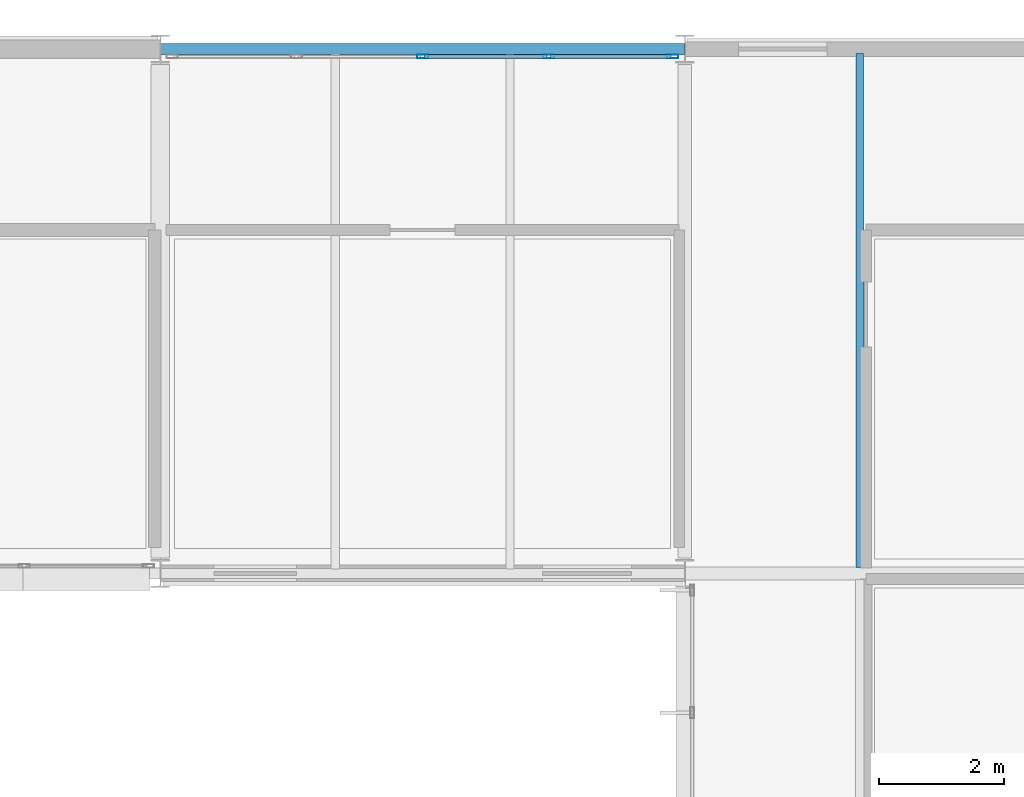
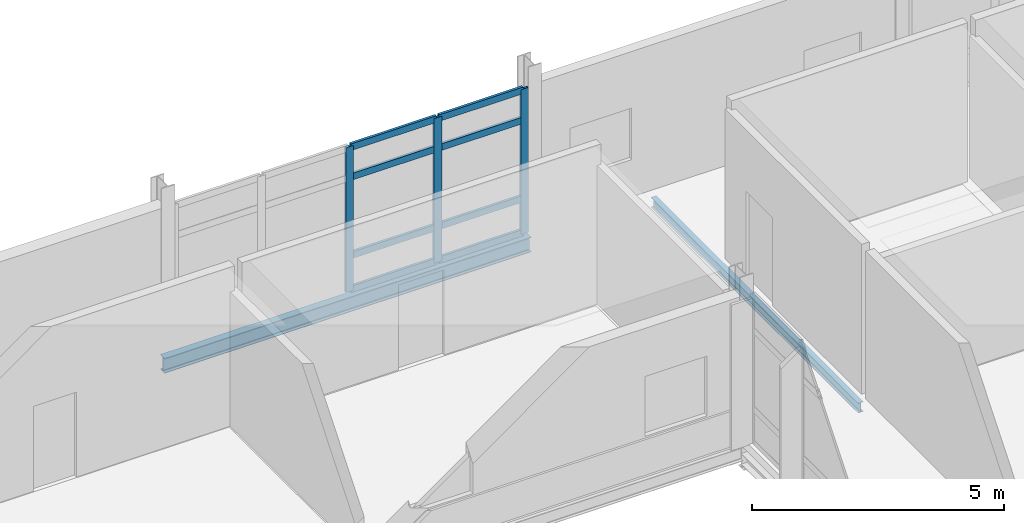
# One storey, part 70 of 131: 11 members, 2 beams, 1 element without a shape of its own.
"""IFC4 building model written with IfcOpenShell, lengths in metres."""

from ifc_helpers import new_model, si_unit, direction, frame, origin, origin_2d, place, context, subcontext, project, spatial, hollow_rectangle, i_section, extrude, material, material_profile, profile_set, type_object, element, aggregate, save


model = new_model("IFC4")

# Units and contexts
model_context = context("Model", 3, precision=1e-05, world=origin(), true_north=direction((0.0, 1.0)))
body_context = subcontext(model_context, "Body", "Model", "MODEL_VIEW")
ifc_project = project(units=[si_unit("LENGTHUNIT", "METRE"), si_unit("AREAUNIT", "SQUARE_METRE"), si_unit("VOLUMEUNIT", "CUBIC_METRE"), si_unit("PLANEANGLEUNIT", "RADIAN"), si_unit("MASSUNIT", "GRAM", prefix="KILO")], contexts=[model_context])

# Site, building, storey
site_placement = place(None, origin())
site = spatial("IfcSite", under=ifc_project, at=site_placement, CompositionType="ELEMENT")
building_placement = place(site_placement, origin())
building = spatial("IfcBuilding", under=site, at=building_placement, Name="Mersafa Astral City Hall", CompositionType="ELEMENT")
storey_placement = place(building_placement, frame((0.0, 0.0, 13.949951171875)))
storey = spatial("IfcBuildingStorey", under=building, at=storey_placement, Name="L03", CompositionType="ELEMENT", Elevation=13.949951171875)

# Curtain wall, members
ifc_material_1 = material(Name="Anodised bronze aluminium framing", Category="aluminium")
curtain_wall_type = type_object("IfcCurtainWallType", Name="ENV-CW-3", PredefinedType="USERDEFINED", material=ifc_material_1)
curtain_wall_placement = place(storey_placement, origin())
curtain_wall = element("IfcCurtainWall", 1, at=curtain_wall_placement, inside=storey, type_object=curtain_wall_type, Name="L03 Unitised solar curtain wall 170", ObjectType="UNITISED CURTAIN WALL", PredefinedType="USERDEFINED")
ifc_material_profile_1 = material_profile(ifc_material_1, hollow_rectangle(XDim=0.06005859375, YDim=0.179931640625, WallThickness=0.00390625, at=origin_2d()), Name="RHS 60x180x4")
ifc_profile_set_1 = profile_set([ifc_material_profile_1], Name="Anodised bronze aluminium framing")
member_type_1 = type_object("IfcMemberType", Name="ENV-CW-MUL-1", PredefinedType="MULLION", material=ifc_profile_set_1)
member_1_placement = place(storey_placement, frame((100.60791015625, 125.8798828125, -0.001953125), z_axis=(0.0, 0.0, 1.0), x_axis=(0.0, -1.0, 0.0)))
member_1 = element("IfcMember", 2, at=member_1_placement, type_object=member_type_1, Name="CW-3 mullion 1", PredefinedType="MULLION", context=body_context, shape_type="SweptSolid", body=[
    extrude(hollow_rectangle(XDim=0.06005859375, YDim=0.179931640625, WallThickness=0.00390625, at=origin_2d()), origin(), (0.0, 0.0, 1.0), 3.50390625),
])
member_2_placement = place(storey_placement, frame((98.618896484375, 125.8798828125, -0.001953125), z_axis=(0.0, 0.0, 1.0), x_axis=(0.0, -1.0, 0.0)))
member_2 = element("IfcMember", 3, at=member_2_placement, type_object=member_type_1, Name="CW-3 mullion 2", PredefinedType="MULLION", context=body_context, shape_type="SweptSolid", body=[
    extrude(hollow_rectangle(XDim=0.06005859375, YDim=0.179931640625, WallThickness=0.00390625, at=origin_2d()), origin(), (0.0, 0.0, 1.0), 3.50390625),
])
member_3_placement = place(storey_placement, frame((96.60009765625, 125.8798828125, -0.001953125), z_axis=(0.0, 0.0, 1.0), x_axis=(0.0, -1.0, 0.0)))
member_3 = element("IfcMember", 4, at=member_3_placement, type_object=member_type_1, Name="CW-3 mullion 3", PredefinedType="MULLION", context=body_context, shape_type="SweptSolid", body=[
    extrude(hollow_rectangle(XDim=0.06005859375, YDim=0.179931640625, WallThickness=0.00390625, at=origin_2d()), origin(), (0.0, 0.0, 1.0), 3.50390625),
])
ifc_material_profile_2 = material_profile(ifc_material_1, hollow_rectangle(XDim=0.06005859375, YDim=0.159912109375, WallThickness=0.00390625, at=origin_2d()), Name="RHS 60x160x4")
ifc_profile_set_2 = profile_set([ifc_material_profile_2], Name="Anodised bronze aluminium framing")
member_type_2 = type_object("IfcMemberType", Name="ENV-CW-TRN-2", PredefinedType="USERDEFINED", material=ifc_profile_set_2)
member_4_placement = place(storey_placement, frame((100.577880859375, 125.8798828125, 0.028076171875), z_axis=(-1.0, 0.0, 0.0), x_axis=(0.0, -1.0, 0.0)))
member_4 = element("IfcMember", 5, at=member_4_placement, type_object=member_type_2, Name="CW-3 transom 1.1", ObjectType="TRANSOM", PredefinedType="USERDEFINED", context=body_context, shape_type="SweptSolid", body=[
    extrude(hollow_rectangle(XDim=0.06005859375, YDim=0.159912109375, WallThickness=0.00390625, at=origin_2d()), origin(), (0.0, 0.0, 1.0), 1.928955078125),
])
member_5_placement = place(storey_placement, frame((100.577880859375, 125.8798828125, 0.85009765625), z_axis=(-1.0, 0.0, 0.0), x_axis=(0.0, -1.0, 0.0)))
member_5 = element("IfcMember", 6, at=member_5_placement, type_object=member_type_2, Name="CW-3 transom 1.2", ObjectType="TRANSOM", PredefinedType="USERDEFINED", context=body_context, shape_type="SweptSolid", body=[
    extrude(hollow_rectangle(XDim=0.06005859375, YDim=0.159912109375, WallThickness=0.00390625, at=origin_2d()), origin(), (0.0, 0.0, 1.0), 1.928955078125),
])
member_6_placement = place(storey_placement, frame((100.577880859375, 125.8798828125, 2.75), z_axis=(-1.0, 0.0, 0.0), x_axis=(0.0, -1.0, 0.0)))
member_6 = element("IfcMember", 7, at=member_6_placement, type_object=member_type_2, Name="CW-3 transom 1.3", ObjectType="TRANSOM", PredefinedType="USERDEFINED", context=body_context, shape_type="SweptSolid", body=[
    extrude(hollow_rectangle(XDim=0.06005859375, YDim=0.159912109375, WallThickness=0.00390625, at=origin_2d()), origin(), (0.0, 0.0, 1.0), 1.928955078125),
])
member_7_placement = place(storey_placement, frame((100.577880859375, 125.8798828125, 3.47216796875), z_axis=(-1.0, 0.0, 0.0), x_axis=(0.0, -1.0, 0.0)))
member_7 = element("IfcMember", 8, at=member_7_placement, type_object=member_type_2, Name="CW-3 transom 1.4", ObjectType="TRANSOM", PredefinedType="USERDEFINED", context=body_context, shape_type="SweptSolid", body=[
    extrude(hollow_rectangle(XDim=0.06005859375, YDim=0.159912109375, WallThickness=0.00390625, at=origin_2d()), origin(), (0.0, 0.0, 1.0), 1.928955078125),
])
member_8_placement = place(storey_placement, frame((98.589111328125, 125.8798828125, 0.028076171875), z_axis=(-1.0, 0.0, 0.0), x_axis=(0.0, -1.0, 0.0)))
member_8 = element("IfcMember", 9, at=member_8_placement, type_object=member_type_2, Name="CW-3 transom 2.1", ObjectType="TRANSOM", PredefinedType="USERDEFINED", context=body_context, shape_type="SweptSolid", body=[
    extrude(hollow_rectangle(XDim=0.06005859375, YDim=0.159912109375, WallThickness=0.00390625, at=origin_2d()), origin(), (0.0, 0.0, 1.0), 1.959228515625),
])
member_9_placement = place(storey_placement, frame((98.589111328125, 125.8798828125, 0.85009765625), z_axis=(-1.0, 0.0, 0.0), x_axis=(0.0, -1.0, 0.0)))
member_9 = element("IfcMember", 10, at=member_9_placement, type_object=member_type_2, Name="CW-3 transom 2.2", ObjectType="TRANSOM", PredefinedType="USERDEFINED", context=body_context, shape_type="SweptSolid", body=[
    extrude(hollow_rectangle(XDim=0.06005859375, YDim=0.159912109375, WallThickness=0.00390625, at=origin_2d()), origin(), (0.0, 0.0, 1.0), 1.959228515625),
])
member_10_placement = place(storey_placement, frame((98.589111328125, 125.8798828125, 2.75), z_axis=(-1.0, 0.0, 0.0), x_axis=(0.0, -1.0, 0.0)))
member_10 = element("IfcMember", 11, at=member_10_placement, type_object=member_type_2, Name="CW-3 transom 2.3", ObjectType="TRANSOM", PredefinedType="USERDEFINED", context=body_context, shape_type="SweptSolid", body=[
    extrude(hollow_rectangle(XDim=0.06005859375, YDim=0.159912109375, WallThickness=0.00390625, at=origin_2d()), origin(), (0.0, 0.0, 1.0), 1.959228515625),
])
member_11_placement = place(storey_placement, frame((98.589111328125, 125.8798828125, 3.47216796875), z_axis=(-1.0, 0.0, 0.0), x_axis=(0.0, -1.0, 0.0)))
member_11 = element("IfcMember", 12, at=member_11_placement, type_object=member_type_2, Name="CW-3 transom 2.4", ObjectType="TRANSOM", PredefinedType="USERDEFINED", context=body_context, shape_type="SweptSolid", body=[
    extrude(hollow_rectangle(XDim=0.06005859375, YDim=0.159912109375, WallThickness=0.00390625, at=origin_2d()), origin(), (0.0, 0.0, 1.0), 1.959228515625),
])
aggregate(curtain_wall, [member_1, member_2, member_3, member_4, member_5, member_6, member_7, member_8, member_9, member_10, member_11])

# Beams
ifc_material_2 = material(Name="Steel S355", Category="steel")
ifc_material_profile_3 = material_profile(ifc_material_2, i_section(OverallWidth=0.1201171875, OverallDepth=0.239990234375, WebThickness=0.006103515625, FlangeThickness=0.009765625, FilletRadius=0.014892578125, at=origin_2d()), Name="IPE 240")
ifc_profile_set_3 = profile_set([ifc_material_profile_3], Name="Steel S355")
beam_type_1 = type_object("IfcBeamType", Name="STR-BM-JOIST-IPE240", PredefinedType="JOIST", material=ifc_profile_set_3)
beam_1_placement = place(storey_placement, frame((103.60009765625, 117.699951171875, -0.320068359375), z_axis=(0.0, 1.0, 0.0), x_axis=(-1.0, 0.0, 0.0)))
element("IfcBeam", 13, at=beam_1_placement, inside=storey, type_object=beam_type_1, Name="L03 Composite secondary floor joist 604", PredefinedType="JOIST", context=body_context, shape_type="SweptSolid", body=[
    extrude(i_section(OverallWidth=0.1201171875, OverallDepth=0.239990234375, WebThickness=0.006103515625, FlangeThickness=0.009765625, FilletRadius=0.014892578125, at=origin_2d()), origin(), (0.0, 0.0, 1.0), 8.22509765625),
])
ifc_material_profile_4 = material_profile(ifc_material_2, i_section(OverallWidth=0.169921875, OverallDepth=0.360107421875, WebThickness=0.008056640625, FlangeThickness=0.0126953125, FilletRadius=0.01806640625, at=origin_2d()), Name="IPE 360")
ifc_profile_set_4 = profile_set([ifc_material_profile_4], Name="Steel S355")
beam_type_2 = type_object("IfcBeamType", Name="STR-BM-SPANDREL-IPE360", PredefinedType="SPANDREL", material=ifc_profile_set_4)
beam_2_placement = place(storey_placement, frame((92.403076171875, 126.0, -0.3798828125), z_axis=(1.0, 0.0, 0.0), x_axis=(0.0, 1.0, 0.0)))
element("IfcBeam", 14, at=beam_2_placement, inside=storey, type_object=beam_type_2, Name="L03 Primary girder X 11-15", PredefinedType="SPANDREL", context=body_context, shape_type="SweptSolid", body=[
    extrude(i_section(OverallWidth=0.169921875, OverallDepth=0.360107421875, WebThickness=0.008056640625, FlangeThickness=0.0126953125, FilletRadius=0.01806640625, at=origin_2d()), origin(), (0.0, 0.0, 1.0), 8.39404296875),
])

save(model, "model.ifc")
